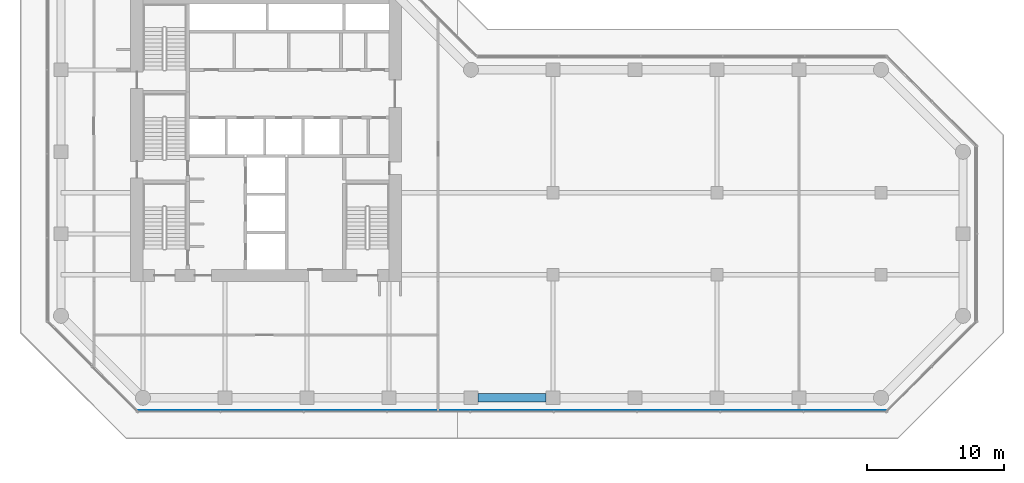
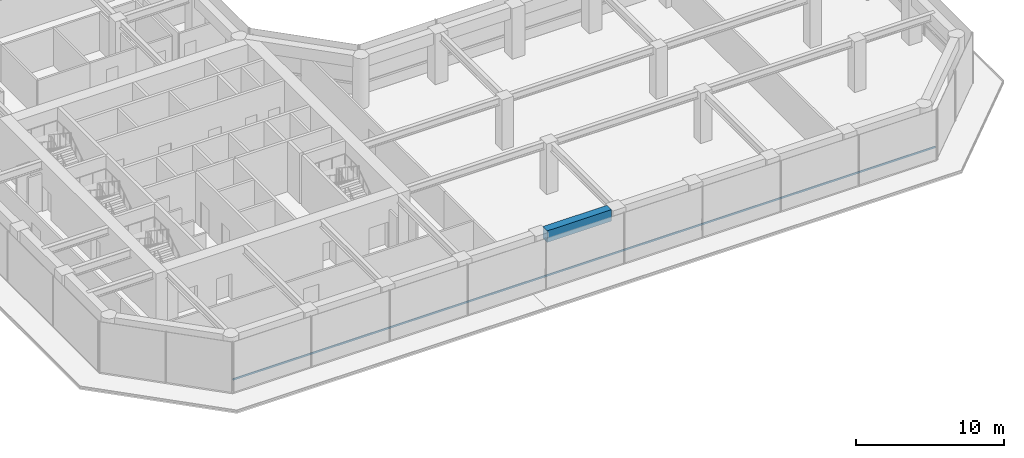
# One storey, part 6 of 24: 1 beam, 1 member, 1 element without a shape of its own.
"""IFC4 building model written with IfcOpenShell, lengths in metres."""

from ifc_helpers import new_model, si_unit, direction, frame, origin, origin_2d, place, context, subcontext, project, spatial, rectangle, extrude, material, layer, layer_set, material_profile, profile_set, type_object, element, aggregate, save


model = new_model("IFC4")

# Units and contexts
model_context = context("Model", 3, precision=1e-05, world=origin(), true_north=direction((0.0, 1.0)))
body_context = subcontext(model_context, "Body", "Model", "MODEL_VIEW")
ifc_project = project(units=[si_unit("LENGTHUNIT", "METRE"), si_unit("AREAUNIT", "SQUARE_METRE"), si_unit("VOLUMEUNIT", "CUBIC_METRE"), si_unit("PLANEANGLEUNIT", "RADIAN"), si_unit("MASSUNIT", "GRAM", prefix="KILO")], contexts=[model_context])

# Site, building, storey
site_placement = place(None, origin())
site = spatial("IfcSite", under=ifc_project, at=site_placement, CompositionType="ELEMENT")
building_placement = place(site_placement, origin())
building = spatial("IfcBuilding", under=site, at=building_placement, Name="Welwitschia Terrace Campus", CompositionType="ELEMENT")
storey_placement = place(building_placement, frame((0.0, 0.0, 20.0)))
storey = spatial("IfcBuildingStorey", under=building, at=storey_placement, Name="L04", CompositionType="ELEMENT", Elevation=20.0)

# Beam
ifc_material_1 = material(Name="Concrete C60/75", Category="concrete")
ifc_material_profile_1 = material_profile(ifc_material_1, rectangle(XDim=0.60009765625, YDim=0.949951171875, at=origin_2d()))
ifc_profile_set_1 = profile_set([ifc_material_profile_1], Name="Concrete C60/75")
beam_type = type_object("IfcBeamType", Name="Ring spandrel 600x950", PredefinedType="SPANDREL", material=ifc_profile_set_1)
beam_placement = place(storey_placement, frame((30.50048828125, -4.0, 3.675048828125), z_axis=(1.0, 0.0, 0.0), x_axis=(0.0, 1.0, 0.0)))
element("IfcBeam", 1, at=beam_placement, inside=storey, type_object=beam_type, Name="Spandrel SP1", PredefinedType="SPANDREL", context=body_context, shape_type="SweptSolid", body=[
    extrude(rectangle(XDim=0.60009765625, YDim=0.949951171875, at=origin_2d()), origin(), (0.0, 0.0, 1.0), 4.9990234375),
])

# Curtain wall, member
ifc_material_2 = material(Name="Bronze anodised aluminium", Category="aluminium")
ifc_layer = layer(ifc_material_2, 0.1201171875)
ifc_layer_set = layer_set([ifc_layer], Name="Bronze anodised aluminium")
curtain_wall_type = type_object("IfcCurtainWallType", Name="Curtain wall CW2 tower 6000", PredefinedType="NOTDEFINED", material=ifc_layer_set)
curtain_wall_placement = place(storey_placement, origin())
curtain_wall = element("IfcCurtainWall", 2, at=curtain_wall_placement, inside=storey, type_object=curtain_wall_type, Name="CW L04.1.0", PredefinedType="NOTDEFINED")
ifc_material_3 = material(Name="Bronze anodised aluminium", Category="aluminium")
ifc_material_profile_2 = material_profile(ifc_material_3, rectangle(XDim=0.06005859375, YDim=0.14990234375, at=origin_2d()))
ifc_profile_set_2 = profile_set([ifc_material_profile_2], Name="Bronze anodised aluminium")
member_type = type_object("IfcMemberType", Name="Transom 60x150", PredefinedType="USERDEFINED", material=ifc_profile_set_2)
member_placement = place(storey_placement, frame((5.637451171875, -4.929931640625, 1.0), z_axis=(1.0, 0.0, 0.0), x_axis=(0.0, 1.0, 0.0)))
member = element("IfcMember", 3, at=member_placement, type_object=member_type, Name="Transom L04.1.0", ObjectType="TRANSOM", PredefinedType="USERDEFINED", context=body_context, shape_type="SweptSolid", body=[
    extrude(rectangle(XDim=0.06005859375, YDim=0.14990234375, at=origin_2d()), origin(), (0.0, 0.0, 1.0), 54.72509765625),
])
aggregate(curtain_wall, [member])

save(model, "model.ifc")
